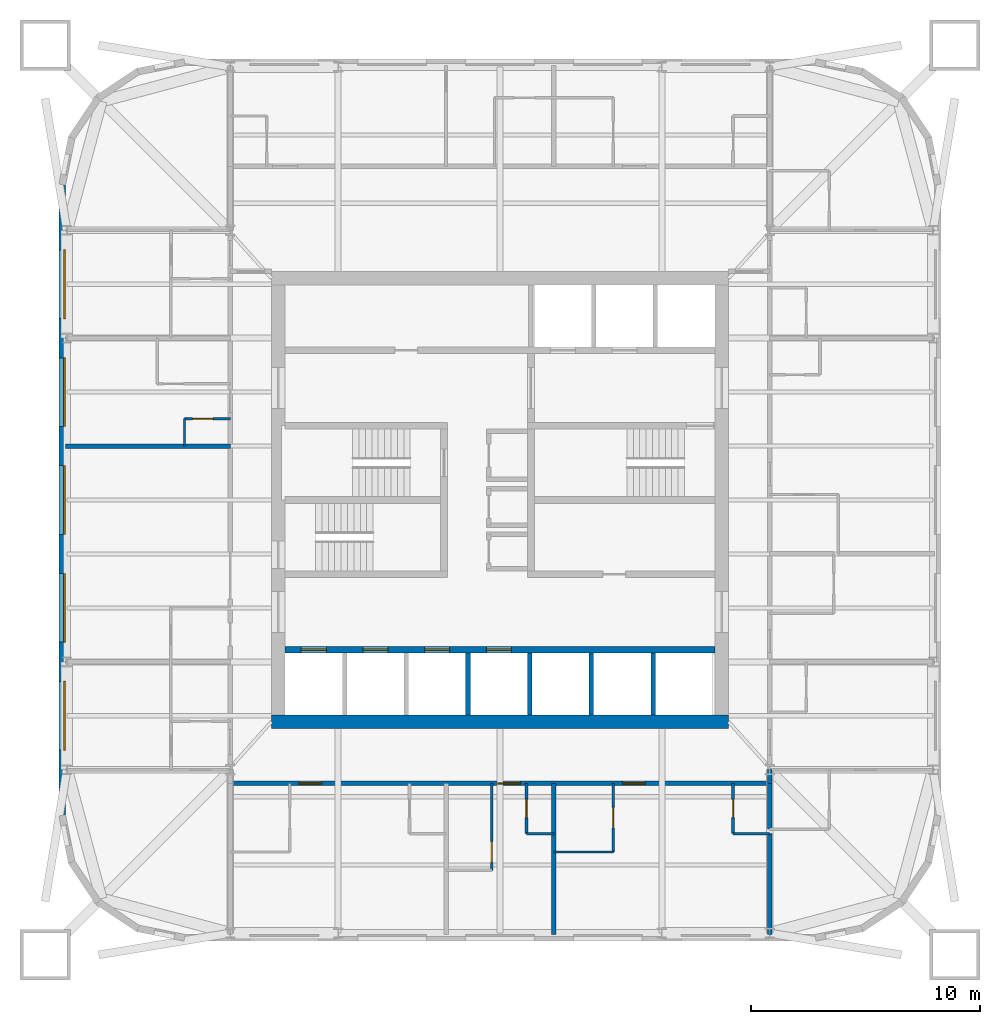
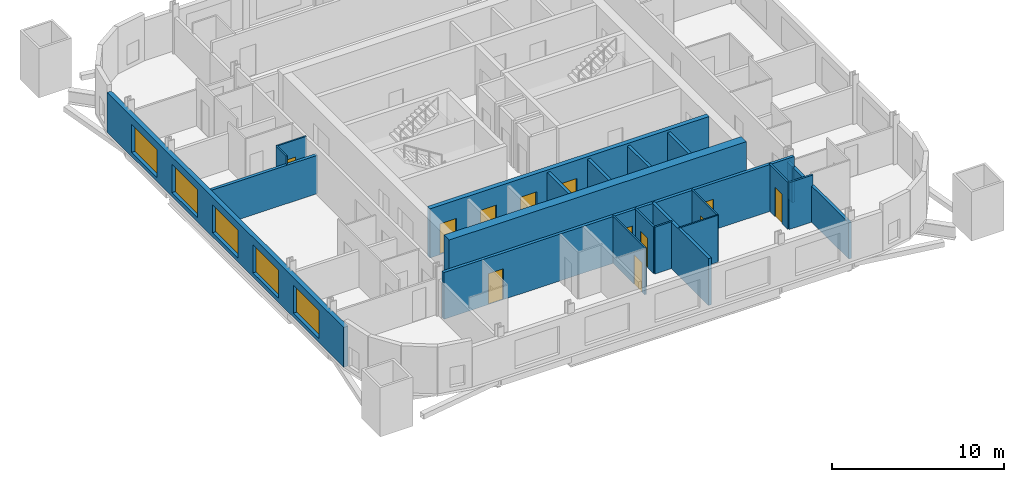
# One storey, part 3 of 8: 22 walls, 12 doors, 5 windows, 17 openings.
"""IFC4 building model written with IfcOpenShell, lengths in metres."""

from ifc_helpers import new_model, si_unit, direction, frame, frame_2d, origin, place, context, subcontext, project, spatial, rectangle, extrude, material, layer, layer_set, type_object, element, fill, save


model = new_model("IFC4")

# Units and contexts
model_context = context("Model", 3, precision=1e-05, world=origin(), true_north=direction((0.0, 1.0)))
body_context = subcontext(model_context, "Body", "Model", "MODEL_VIEW")
ifc_project = project(units=[si_unit("LENGTHUNIT", "METRE"), si_unit("AREAUNIT", "SQUARE_METRE"), si_unit("VOLUMEUNIT", "CUBIC_METRE"), si_unit("PLANEANGLEUNIT", "RADIAN"), si_unit("MASSUNIT", "GRAM", prefix="KILO")], contexts=[model_context])

# Site, building, storey
site_placement = place(None, origin())
site = spatial("IfcSite", under=ifc_project, at=site_placement, CompositionType="ELEMENT")
building_placement = place(site_placement, origin())
building = spatial("IfcBuilding", under=site, at=building_placement, Name="Turquesa Mirador Hotel Tower", CompositionType="ELEMENT")
storey_placement = place(building_placement, frame((0.0, 0.0, 165.300048828125)))
storey = spatial("IfcBuildingStorey", under=building, at=storey_placement, Name="L44", CompositionType="ELEMENT", Elevation=165.300048828125)

# Wall
ifc_material_1 = material(Name="Gypsum board on steel studs", Category="steel")
ifc_layer_1 = layer(ifc_material_1, 0.10009765625)
ifc_layer_set_1 = layer_set([ifc_layer_1], Name="BATHROOM WALL 100")
wall_type_1 = type_object("IfcWallType", Name="BATHROOM WALL 100", PredefinedType="PARTITIONING", material=ifc_layer_set_1)
wall_1_placement = place(storey_placement, frame((57.360107421875, 29.60009765625, 0.0), z_axis=(0.0, 0.0, 1.0), x_axis=(1.0, 0.0, 0.0)))
element("IfcWall", 1, at=wall_1_placement, inside=storey, type_object=wall_type_1, Name="Partition L44 010", PredefinedType="PARTITIONING", context=body_context, shape_type="SweptSolid", body=[
    extrude(rectangle(XDim=2.599853515625, YDim=0.10009765625, at=frame_2d((1.2998046875, 0.0))), origin(), (0.0, 0.0, 1.0), 3.329833984375),
])

# Wall, opening, door
wall_2_placement = place(storey_placement, frame((41.199951171875, 48.56005859375, 0.0), z_axis=(0.0, 0.0, 1.0), x_axis=(1.0, 0.0, 0.0)))
wall_2 = element("IfcWall", 2, at=wall_2_placement, inside=storey, type_object=wall_type_1, Name="Partition L44 032", PredefinedType="PARTITIONING", context=body_context, shape_type="SweptSolid", body=[
    extrude(rectangle(XDim=2.0, YDim=0.10009765625, at=frame_2d((1.0, 0.0))), origin(), (0.0, 0.0, 1.0), 3.329833984375),
])
opening_1_placement = place(wall_2_placement, frame((0.35009765625, 0.0, 0.0)))
opening_1 = element("IfcOpeningElement", 3, at=opening_1_placement, cuts=wall_2, Name="Opening D06", PredefinedType="OPENING", context=body_context, shape_type="SweptSolid", body=[
    extrude(rectangle(XDim=0.89990234375, YDim=2.10009765625, at=frame_2d((0.449951171875, 1.050048828125))), frame((0.0, 0.06005859375, 0.0), z_axis=(0.0, -1.0, 0.0), x_axis=(1.0, 0.0, 0.0)), (0.0, 0.0, 1.0), 0.1201171875),
])
ifc_material_2 = material(Name="Laminate door", Category="wood")
door_type_1 = type_object("IfcDoorType", Name="DOOR 900X2100 WC", OperationType="SINGLE_SWING_LEFT", PredefinedType="DOOR", material=ifc_material_2)
door_1_placement = place(opening_1_placement, origin())
door_1 = element("IfcDoor", 4, at=door_1_placement, inside=storey, type_object=door_type_1, Name="Door 4408W", OperationType="SINGLE_SWING_LEFT", OverallHeight=2.10009765625, OverallWidth=0.89990234375, PredefinedType="DOOR", context=body_context, shape_type="SweptSolid", body=[
    extrude(rectangle(XDim=0.89990234375, YDim=2.10009765625, at=frame_2d((0.449951171875, 1.050048828125))), frame((0.0, 0.02490234375, 0.0), z_axis=(0.0, -1.0, 0.0), x_axis=(1.0, 0.0, 0.0)), (0.0, 0.0, 1.0), 0.050048828125),
])
fill(opening_1, door_1)

wall_3_placement = place(storey_placement, frame((54.639892578125, 28.800048828125, 0.0), z_axis=(0.0, 0.0, 1.0), x_axis=(0.0, 1.0, 0.0)))
wall_3 = element("IfcWall", 5, at=wall_3_placement, inside=storey, type_object=wall_type_1, Name="Partition L44 040", PredefinedType="PARTITIONING", context=body_context, shape_type="SweptSolid", body=[
    extrude(rectangle(XDim=3.800048828125, YDim=0.10009765625, at=frame_2d((1.89990234375, 0.0))), origin(), (0.0, 0.0, 1.0), 3.329833984375),
])
opening_2_placement = place(wall_3_placement, frame((0.35009765625, 0.0, 0.0)))
opening_2 = element("IfcOpeningElement", 6, at=opening_2_placement, cuts=wall_3, Name="Opening D02", PredefinedType="OPENING", context=body_context, shape_type="SweptSolid", body=[
    extrude(rectangle(XDim=0.89990234375, YDim=2.10009765625, at=frame_2d((0.449951171875, 1.050048828125))), frame((0.0, 0.06005859375, 0.0), z_axis=(0.0, -1.0, 0.0), x_axis=(1.0, 0.0, 0.0)), (0.0, 0.0, 1.0), 0.1201171875),
])
ifc_material_3 = material(Name="Timber veneered door", Category="wood")
door_type_2 = type_object("IfcDoorType", Name="DOOR 900X2100 EN-SUITE", OperationType="SINGLE_SWING_RIGHT", PredefinedType="DOOR", material=ifc_material_3)
door_2_placement = place(opening_2_placement, origin())
door_2 = element("IfcDoor", 7, at=door_2_placement, inside=storey, type_object=door_type_2, Name="Door 4404B", OperationType="SINGLE_SWING_RIGHT", OverallHeight=2.10009765625, OverallWidth=0.89990234375, PredefinedType="DOOR", context=body_context, shape_type="SweptSolid", body=[
    extrude(rectangle(XDim=0.89990234375, YDim=2.10009765625, at=frame_2d((0.449951171875, 1.050048828125))), frame((0.0, 0.02490234375, 0.0), z_axis=(0.0, -1.0, 0.0), x_axis=(1.0, 0.0, 0.0)), (0.0, 0.0, 1.0), 0.050048828125),
])
fill(opening_2, door_2)

# Wall
wall_4_placement = place(storey_placement, frame((41.199951171875, 47.360107421875, 0.0), z_axis=(0.0, 0.0, 1.0), x_axis=(0.0, 1.0, 0.0)))
element("IfcWall", 8, at=wall_4_placement, inside=storey, type_object=wall_type_1, Name="Partition L44 045", PredefinedType="PARTITIONING", context=body_context, shape_type="SweptSolid", body=[
    extrude(rectangle(XDim=1.199951171875, YDim=0.10009765625, at=frame_2d((0.60009765625, 0.0))), origin(), (0.0, 0.0, 1.0), 3.329833984375),
])

# Wall, opening, door
wall_5_placement = place(storey_placement, frame((59.9599609375, 29.60009765625, 0.0), z_axis=(0.0, 0.0, 1.0), x_axis=(0.0, 1.0, 0.0)))
wall_5 = element("IfcWall", 9, at=wall_5_placement, inside=storey, type_object=wall_type_1, Name="Partition L44 071", PredefinedType="PARTITIONING", context=body_context, shape_type="SweptSolid", body=[
    extrude(rectangle(XDim=3.0, YDim=0.10009765625, at=frame_2d((1.5, 0.0))), origin(), (0.0, 0.0, 1.0), 3.329833984375),
])
opening_3_placement = place(wall_5_placement, frame((1.050048828125, 0.0, 0.0)))
opening_3 = element("IfcOpeningElement", 10, at=opening_3_placement, cuts=wall_5, Name="Opening D02", PredefinedType="OPENING", context=body_context, shape_type="SweptSolid", body=[
    extrude(rectangle(XDim=0.89990234375, YDim=2.10009765625, at=frame_2d((0.449951171875, 1.050048828125))), frame((0.0, 0.06005859375, 0.0), z_axis=(0.0, -1.0, 0.0), x_axis=(1.0, 0.0, 0.0)), (0.0, 0.0, 1.0), 0.1201171875),
])
door_3_placement = place(opening_3_placement, origin())
door_3 = element("IfcDoor", 11, at=door_3_placement, inside=storey, type_object=door_type_2, Name="Door 4405B", OperationType="SINGLE_SWING_RIGHT", OverallHeight=2.10009765625, OverallWidth=0.89990234375, PredefinedType="DOOR", context=body_context, shape_type="SweptSolid", body=[
    extrude(rectangle(XDim=0.89990234375, YDim=2.10009765625, at=frame_2d((0.449951171875, 1.050048828125))), frame((0.0, 0.02490234375, 0.0), z_axis=(0.0, -1.0, 0.0), x_axis=(1.0, 0.0, 0.0)), (0.0, 0.0, 1.0), 0.050048828125),
])
fill(opening_3, door_3)

# Wall, openings, doors
ifc_material_4 = material(Name="Concrete C50/60", Category="concrete")
ifc_layer_2 = layer(ifc_material_4, 0.300048828125)
ifc_layer_set_2 = layer_set([ifc_layer_2], Name="CORE INNER WALL 300")
wall_type_2 = type_object("IfcWallType", Name="CORE INNER WALL 300", PredefinedType="SHEAR", material=ifc_layer_set_2)
wall_6_placement = place(storey_placement, frame((45.60009765625, 38.449951171875, 0.0), z_axis=(0.0, 0.0, 1.0), x_axis=(1.0, 0.0, 0.0)))
wall_6 = element("IfcWall", 12, at=wall_6_placement, inside=storey, type_object=wall_type_2, Name="Core wall SL", PredefinedType="SHEAR", context=body_context, shape_type="SweptSolid", body=[
    extrude(rectangle(XDim=18.7998046875, YDim=0.300048828125, at=frame_2d((9.39990234375, 0.0))), origin(), (0.0, 0.0, 1.0), 3.5),
])
opening_4_placement = place(wall_6_placement, frame((0.699951171875, 0.0, 0.0)))
opening_4 = element("IfcOpeningElement", 13, at=opening_4_placement, cuts=wall_6, Name="Opening LD", PredefinedType="OPENING", context=body_context, shape_type="SweptSolid", body=[
    extrude(rectangle(XDim=1.10009765625, YDim=2.199951171875, at=frame_2d((0.550048828125, 1.10009765625))), frame((0.0, 0.159912109375, 0.0), z_axis=(0.0, -1.0, 0.0), x_axis=(1.0, 0.0, 0.0)), (0.0, 0.0, 1.0), 0.320068359375),
])
opening_5_placement = place(wall_6_placement, frame((3.39990234375, 0.0, 0.0)))
opening_5 = element("IfcOpeningElement", 14, at=opening_5_placement, cuts=wall_6, Name="Opening LD", PredefinedType="OPENING", context=body_context, shape_type="SweptSolid", body=[
    extrude(rectangle(XDim=1.10009765625, YDim=2.199951171875, at=frame_2d((0.550048828125, 1.10009765625))), frame((0.0, 0.159912109375, 0.0), z_axis=(0.0, -1.0, 0.0), x_axis=(1.0, 0.0, 0.0)), (0.0, 0.0, 1.0), 0.320068359375),
])
opening_6_placement = place(wall_6_placement, frame((6.10009765625, 0.0, 0.0)))
opening_6 = element("IfcOpeningElement", 15, at=opening_6_placement, cuts=wall_6, Name="Opening LD", PredefinedType="OPENING", context=body_context, shape_type="SweptSolid", body=[
    extrude(rectangle(XDim=1.10009765625, YDim=2.199951171875, at=frame_2d((0.550048828125, 1.10009765625))), frame((0.0, 0.159912109375, 0.0), z_axis=(0.0, -1.0, 0.0), x_axis=(1.0, 0.0, 0.0)), (0.0, 0.0, 1.0), 0.320068359375),
])
opening_7_placement = place(wall_6_placement, frame((8.800048828125, 0.0, 0.0)))
opening_7 = element("IfcOpeningElement", 16, at=opening_7_placement, cuts=wall_6, Name="Opening LD", PredefinedType="OPENING", context=body_context, shape_type="SweptSolid", body=[
    extrude(rectangle(XDim=1.10009765625, YDim=2.199951171875, at=frame_2d((0.550048828125, 1.10009765625))), frame((0.0, 0.159912109375, 0.0), z_axis=(0.0, -1.0, 0.0), x_axis=(1.0, 0.0, 0.0)), (0.0, 0.0, 1.0), 0.320068359375),
])
ifc_material_5 = material(Name="Stainless steel lift landing door", Category="steel")
door_type_3 = type_object("IfcDoorType", Name="LIFT LANDING DOOR 1100X2200", OperationType="SLIDING_TO_LEFT", PredefinedType="DOOR", material=ifc_material_5)
door_4_placement = place(opening_4_placement, origin())
door_4 = element("IfcDoor", 17, at=door_4_placement, inside=storey, type_object=door_type_3, Name="Lift B1 landing door", OperationType="SLIDING_TO_LEFT", OverallHeight=2.199951171875, OverallWidth=1.10009765625, PredefinedType="DOOR", context=body_context, shape_type="SweptSolid", body=[
    extrude(rectangle(XDim=1.10009765625, YDim=2.199951171875, at=frame_2d((0.550048828125, 1.10009765625))), frame((0.0, 0.02490234375, 0.0), z_axis=(0.0, -1.0, 0.0), x_axis=(1.0, 0.0, 0.0)), (0.0, 0.0, 1.0), 0.050048828125),
])
fill(opening_4, door_4)
door_5_placement = place(opening_5_placement, origin())
door_5 = element("IfcDoor", 18, at=door_5_placement, inside=storey, type_object=door_type_3, Name="Lift B2 landing door", OperationType="SLIDING_TO_LEFT", OverallHeight=2.199951171875, OverallWidth=1.10009765625, PredefinedType="DOOR", context=body_context, shape_type="SweptSolid", body=[
    extrude(rectangle(XDim=1.10009765625, YDim=2.199951171875, at=frame_2d((0.550048828125, 1.10009765625))), frame((0.0, 0.02490234375, 0.0), z_axis=(0.0, -1.0, 0.0), x_axis=(1.0, 0.0, 0.0)), (0.0, 0.0, 1.0), 0.050048828125),
])
fill(opening_5, door_5)
door_6_placement = place(opening_6_placement, origin())
door_6 = element("IfcDoor", 19, at=door_6_placement, inside=storey, type_object=door_type_3, Name="Lift B3 landing door", OperationType="SLIDING_TO_LEFT", OverallHeight=2.199951171875, OverallWidth=1.10009765625, PredefinedType="DOOR", context=body_context, shape_type="SweptSolid", body=[
    extrude(rectangle(XDim=1.10009765625, YDim=2.199951171875, at=frame_2d((0.550048828125, 1.10009765625))), frame((0.0, 0.02490234375, 0.0), z_axis=(0.0, -1.0, 0.0), x_axis=(1.0, 0.0, 0.0)), (0.0, 0.0, 1.0), 0.050048828125),
])
fill(opening_6, door_6)
door_7_placement = place(opening_7_placement, origin())
door_7 = element("IfcDoor", 20, at=door_7_placement, inside=storey, type_object=door_type_3, Name="Lift B4 landing door", OperationType="SLIDING_TO_LEFT", OverallHeight=2.199951171875, OverallWidth=1.10009765625, PredefinedType="DOOR", context=body_context, shape_type="SweptSolid", body=[
    extrude(rectangle(XDim=1.10009765625, YDim=2.199951171875, at=frame_2d((0.550048828125, 1.10009765625))), frame((0.0, 0.02490234375, 0.0), z_axis=(0.0, -1.0, 0.0), x_axis=(1.0, 0.0, 0.0)), (0.0, 0.0, 1.0), 0.050048828125),
])
fill(opening_7, door_7)

# Wall
ifc_material_6 = material(Name="Concrete C50/60", Category="concrete")
ifc_layer_3 = layer(ifc_material_6, 0.60009765625)
ifc_layer_set_3 = layer_set([ifc_layer_3], Name="CORE WALL 600")
wall_type_3 = type_object("IfcWallType", Name="CORE WALL 600", PredefinedType="SHEAR", material=ifc_layer_set_3)
wall_7_placement = place(storey_placement, frame((45.0, 35.300048828125, 0.0), z_axis=(0.0, 0.0, 1.0), x_axis=(1.0, 0.0, 0.0)))
element("IfcWall", 21, at=wall_7_placement, inside=storey, type_object=wall_type_3, Name="Core wall S", PredefinedType="SHEAR", context=body_context, shape_type="SweptSolid", body=[
    extrude(rectangle(XDim=20.0, YDim=0.60009765625, at=frame_2d((10.0, 0.0))), origin(), (0.0, 0.0, 1.0), 3.5),
])

# Wall, openings, doors
ifc_material_7 = material(Name="Fire-rated gypsum board on steel studs", Category="steel")
ifc_layer_4 = layer(ifc_material_7, 0.199951171875)
ifc_layer_set_4 = layer_set([ifc_layer_4], Name="CORRIDOR WALL 200")
wall_type_4 = type_object("IfcWallType", Name="CORRIDOR WALL 200", PredefinedType="PARTITIONING", material=ifc_layer_set_4)
wall_8_placement = place(storey_placement, frame((43.199951171875, 32.60009765625, 0.0), z_axis=(0.0, 0.0, 1.0), x_axis=(1.0, 0.0, 0.0)))
wall_8 = element("IfcWall", 22, at=wall_8_placement, inside=storey, type_object=wall_type_4, Name="Partition L44 004", PredefinedType="PARTITIONING", context=body_context, shape_type="SweptSolid", body=[
    extrude(rectangle(XDim=23.60009765625, YDim=0.199951171875, at=frame_2d((11.800048828125, 0.0))), origin(), (0.0, 0.0, 1.0), 3.329833984375),
])
opening_8_placement = place(wall_8_placement, frame((3.0, 0.0, 0.0)))
opening_8 = element("IfcOpeningElement", 23, at=opening_8_placement, cuts=wall_8, Name="Opening D01", PredefinedType="OPENING", context=body_context, shape_type="SweptSolid", body=[
    extrude(rectangle(XDim=1.0, YDim=2.199951171875, at=frame_2d((0.5, 1.10009765625))), frame((0.0, 0.10986328125, 0.0), z_axis=(0.0, -1.0, 0.0), x_axis=(1.0, 0.0, 0.0)), (0.0, 0.0, 1.0), 0.219970703125),
])
opening_9_placement = place(wall_8_placement, frame((11.699951171875, 0.0, 0.0)))
opening_9 = element("IfcOpeningElement", 24, at=opening_9_placement, cuts=wall_8, Name="Opening D01", PredefinedType="OPENING", context=body_context, shape_type="SweptSolid", body=[
    extrude(rectangle(XDim=1.0, YDim=2.199951171875, at=frame_2d((0.5, 1.10009765625))), frame((0.0, 0.10986328125, 0.0), z_axis=(0.0, -1.0, 0.0), x_axis=(1.0, 0.0, 0.0)), (0.0, 0.0, 1.0), 0.219970703125),
])
opening_10_placement = place(wall_8_placement, frame((17.159912109375, 0.0, 0.0)))
opening_10 = element("IfcOpeningElement", 25, at=opening_10_placement, cuts=wall_8, Name="Opening D01", PredefinedType="OPENING", context=body_context, shape_type="SweptSolid", body=[
    extrude(rectangle(XDim=1.0, YDim=2.199951171875, at=frame_2d((0.5, 1.10009765625))), frame((0.0, 0.10986328125, 0.0), z_axis=(0.0, -1.0, 0.0), x_axis=(1.0, 0.0, 0.0)), (0.0, 0.0, 1.0), 0.219970703125),
])
ifc_material_8 = material(Name="Timber veneered fire door", Category="wood")
door_type_4 = type_object("IfcDoorType", Name="DOOR 1000X2200 GUEST ENTRY", OperationType="SINGLE_SWING_LEFT", PredefinedType="DOOR", material=ifc_material_8)
door_8_placement = place(opening_8_placement, origin())
door_8 = element("IfcDoor", 26, at=door_8_placement, inside=storey, type_object=door_type_4, Name="Door 4403", OperationType="SINGLE_SWING_LEFT", OverallHeight=2.199951171875, OverallWidth=1.0, PredefinedType="DOOR", context=body_context, shape_type="SweptSolid", body=[
    extrude(rectangle(XDim=1.0, YDim=2.199951171875, at=frame_2d((0.5, 1.10009765625))), frame((0.0, 0.02490234375, 0.0), z_axis=(0.0, -1.0, 0.0), x_axis=(1.0, 0.0, 0.0)), (0.0, 0.0, 1.0), 0.050048828125),
])
fill(opening_8, door_8)
door_9_placement = place(opening_9_placement, origin())
door_9 = element("IfcDoor", 27, at=door_9_placement, inside=storey, type_object=door_type_4, Name="Door 4404", OperationType="SINGLE_SWING_LEFT", OverallHeight=2.199951171875, OverallWidth=1.0, PredefinedType="DOOR", context=body_context, shape_type="SweptSolid", body=[
    extrude(rectangle(XDim=1.0, YDim=2.199951171875, at=frame_2d((0.5, 1.10009765625))), frame((0.0, 0.02490234375, 0.0), z_axis=(0.0, -1.0, 0.0), x_axis=(1.0, 0.0, 0.0)), (0.0, 0.0, 1.0), 0.050048828125),
])
fill(opening_9, door_9)
door_10_placement = place(opening_10_placement, origin())
door_10 = element("IfcDoor", 28, at=door_10_placement, inside=storey, type_object=door_type_4, Name="Door 4405", OperationType="SINGLE_SWING_LEFT", OverallHeight=2.199951171875, OverallWidth=1.0, PredefinedType="DOOR", context=body_context, shape_type="SweptSolid", body=[
    extrude(rectangle(XDim=1.0, YDim=2.199951171875, at=frame_2d((0.5, 1.10009765625))), frame((0.0, 0.02490234375, 0.0), z_axis=(0.0, -1.0, 0.0), x_axis=(1.0, 0.0, 0.0)), (0.0, 0.0, 1.0), 0.050048828125),
])
fill(opening_10, door_10)

# Wall
wall_9_placement = place(storey_placement, frame((66.800048828125, 32.60009765625, 0.0), z_axis=(0.0, 0.0, 1.0), x_axis=(0.0, 1.0, 0.0)))
element("IfcWall", 29, at=wall_9_placement, inside=storey, type_object=wall_type_4, Name="Partition L44 075", PredefinedType="PARTITIONING", context=body_context, shape_type="SweptSolid", body=[
    extrude(rectangle(XDim=0.619873046875, YDim=0.199951171875, at=frame_2d((0.31005859375, 0.0))), origin(), (0.0, 0.0, 1.0), 2.572998046875),
])

# Wall, openings, windows
ifc_material_9 = material(Name="Limestone cladding on concrete block", Category="masonry")
ifc_layer_5 = layer(ifc_material_9, 0.300048828125)
ifc_layer_set_5 = layer_set([ifc_layer_5], Name="FACADE WALL 300 STONE SCREEN")
wall_type_5 = type_object("IfcWallType", Name="FACADE WALL 300 STONE SCREEN", PredefinedType="SOLIDWALL", material=ifc_layer_set_5)
wall_10_placement = place(storey_placement, frame((35.85009765625, 58.800048828125, 0.0), z_axis=(0.0, 0.0, 1.0), x_axis=(0.0, -1.0, 0.0)))
wall_10 = element("IfcWall", 30, at=wall_10_placement, inside=storey, type_object=wall_type_5, Name="Facade wall L44 14", PredefinedType="SOLIDWALL", context=body_context, shape_type="SweptSolid", body=[
    extrude(rectangle(XDim=27.60009765625, YDim=0.300048828125, at=frame_2d((13.800048828125, 0.0))), origin(), (0.0, 0.0, 1.0), 2.829833984375),
])
opening_11_placement = place(wall_10_placement, frame((2.860107421875, 0.0, 0.300048828125)))
opening_11 = element("IfcOpeningElement", 31, at=opening_11_placement, cuts=wall_10, Name="Opening WN1", PredefinedType="OPENING", context=body_context, shape_type="SweptSolid", body=[
    extrude(rectangle(XDim=3.0, YDim=2.0, at=frame_2d((1.5, 1.0))), frame((0.0, 0.159912109375, 0.0), z_axis=(0.0, -1.0, 0.0), x_axis=(1.0, 0.0, 0.0)), (0.0, 0.0, 1.0), 0.320068359375),
])
opening_12_placement = place(wall_10_placement, frame((7.580078125, 0.0, 0.300048828125)))
opening_12 = element("IfcOpeningElement", 32, at=opening_12_placement, cuts=wall_10, Name="Opening WN1", PredefinedType="OPENING", context=body_context, shape_type="SweptSolid", body=[
    extrude(rectangle(XDim=3.0, YDim=2.0, at=frame_2d((1.5, 1.0))), frame((0.0, 0.159912109375, 0.0), z_axis=(0.0, -1.0, 0.0), x_axis=(1.0, 0.0, 0.0)), (0.0, 0.0, 1.0), 0.320068359375),
])
opening_13_placement = place(wall_10_placement, frame((12.300048828125, 0.0, 0.300048828125)))
opening_13 = element("IfcOpeningElement", 33, at=opening_13_placement, cuts=wall_10, Name="Opening WN1", PredefinedType="OPENING", context=body_context, shape_type="SweptSolid", body=[
    extrude(rectangle(XDim=3.0, YDim=2.0, at=frame_2d((1.5, 1.0))), frame((0.0, 0.159912109375, 0.0), z_axis=(0.0, -1.0, 0.0), x_axis=(1.0, 0.0, 0.0)), (0.0, 0.0, 1.0), 0.320068359375),
])
opening_14_placement = place(wall_10_placement, frame((17.02001953125, 0.0, 0.300048828125)))
opening_14 = element("IfcOpeningElement", 34, at=opening_14_placement, cuts=wall_10, Name="Opening WN1", PredefinedType="OPENING", context=body_context, shape_type="SweptSolid", body=[
    extrude(rectangle(XDim=3.0, YDim=2.0, at=frame_2d((1.5, 1.0))), frame((0.0, 0.159912109375, 0.0), z_axis=(0.0, -1.0, 0.0), x_axis=(1.0, 0.0, 0.0)), (0.0, 0.0, 1.0), 0.320068359375),
])
opening_15_placement = place(wall_10_placement, frame((21.739990234375, 0.0, 0.300048828125)))
opening_15 = element("IfcOpeningElement", 35, at=opening_15_placement, cuts=wall_10, Name="Opening WN1", PredefinedType="OPENING", context=body_context, shape_type="SweptSolid", body=[
    extrude(rectangle(XDim=3.0, YDim=2.0, at=frame_2d((1.5, 1.0))), frame((0.0, 0.159912109375, 0.0), z_axis=(0.0, -1.0, 0.0), x_axis=(1.0, 0.0, 0.0)), (0.0, 0.0, 1.0), 0.320068359375),
])
ifc_material_10 = material(Name="Ceramic-fritted laminated glass", Category="glass")
window_type = type_object("IfcWindowType", Name="FRITTED WINDOW 3000X2000", PartitioningType="DOUBLE_PANEL_HORIZONTAL", PredefinedType="WINDOW", material=ifc_material_10)
window_1_placement = place(opening_11_placement, origin())
window_1 = element("IfcWindow", 36, at=window_1_placement, inside=storey, type_object=window_type, Name="Window L44", OverallHeight=2.0, OverallWidth=3.0, PartitioningType="SINGLE_PANEL", PredefinedType="WINDOW", context=body_context, shape_type="SweptSolid", body=[
    extrude(rectangle(XDim=3.0, YDim=2.0, at=frame_2d((1.5, 1.0))), frame((0.0, 0.130126953125, 0.0), z_axis=(0.0, -1.0, 0.0), x_axis=(1.0, 0.0, 0.0)), (0.0, 0.0, 1.0), 0.06005859375),
])
fill(opening_11, window_1)
window_2_placement = place(opening_12_placement, origin())
window_2 = element("IfcWindow", 37, at=window_2_placement, inside=storey, type_object=window_type, Name="Window L44", OverallHeight=2.0, OverallWidth=3.0, PartitioningType="SINGLE_PANEL", PredefinedType="WINDOW", context=body_context, shape_type="SweptSolid", body=[
    extrude(rectangle(XDim=3.0, YDim=2.0, at=frame_2d((1.5, 1.0))), frame((0.0, 0.130126953125, 0.0), z_axis=(0.0, -1.0, 0.0), x_axis=(1.0, 0.0, 0.0)), (0.0, 0.0, 1.0), 0.06005859375),
])
fill(opening_12, window_2)
window_3_placement = place(opening_13_placement, origin())
window_3 = element("IfcWindow", 38, at=window_3_placement, inside=storey, type_object=window_type, Name="Window L44", OverallHeight=2.0, OverallWidth=3.0, PartitioningType="SINGLE_PANEL", PredefinedType="WINDOW", context=body_context, shape_type="SweptSolid", body=[
    extrude(rectangle(XDim=3.0, YDim=2.0, at=frame_2d((1.5, 1.0))), frame((0.0, 0.130126953125, 0.0), z_axis=(0.0, -1.0, 0.0), x_axis=(1.0, 0.0, 0.0)), (0.0, 0.0, 1.0), 0.06005859375),
])
fill(opening_13, window_3)
window_4_placement = place(opening_14_placement, origin())
window_4 = element("IfcWindow", 39, at=window_4_placement, inside=storey, type_object=window_type, Name="Window L44", OverallHeight=2.0, OverallWidth=3.0, PartitioningType="SINGLE_PANEL", PredefinedType="WINDOW", context=body_context, shape_type="SweptSolid", body=[
    extrude(rectangle(XDim=3.0, YDim=2.0, at=frame_2d((1.5, 1.0))), frame((0.0, 0.130126953125, 0.0), z_axis=(0.0, -1.0, 0.0), x_axis=(1.0, 0.0, 0.0)), (0.0, 0.0, 1.0), 0.06005859375),
])
fill(opening_14, window_4)
window_5_placement = place(opening_15_placement, origin())
window_5 = element("IfcWindow", 40, at=window_5_placement, inside=storey, type_object=window_type, Name="Window L44", OverallHeight=2.0, OverallWidth=3.0, PartitioningType="SINGLE_PANEL", PredefinedType="WINDOW", context=body_context, shape_type="SweptSolid", body=[
    extrude(rectangle(XDim=3.0, YDim=2.0, at=frame_2d((1.5, 1.0))), frame((0.0, 0.130126953125, 0.0), z_axis=(0.0, -1.0, 0.0), x_axis=(1.0, 0.0, 0.0)), (0.0, 0.0, 1.0), 0.06005859375),
])
fill(opening_15, window_5)

# Walls
ifc_material_11 = material(Name="Fire-rated gypsum shaft wall on steel studs", Category="steel")
ifc_layer_6 = layer(ifc_material_11, 0.199951171875)
ifc_layer_set_6 = layer_set([ifc_layer_6], Name="LIFT SHAFT DIVIDER 200")
wall_type_6 = type_object("IfcWallType", Name="LIFT SHAFT DIVIDER 200", PredefinedType="PARTITIONING", material=ifc_layer_set_6)
for number, where, z_axis, x_axis, name in (
    (41, (53.60009765625, 35.60009765625, 0.0), (0.0, 0.0, 1.0), (0.0, 1.0, 0.0), "Lift shaft divider"),
    (42, (56.300048828125, 35.60009765625, 0.0), (0.0, 0.0, 1.0), (0.0, 1.0, 0.0), "Lift shaft divider"),
    (43, (59.0, 35.60009765625, 0.0), (0.0, 0.0, 1.0), (0.0, 1.0, 0.0), "Lift shaft divider"),
    (44, (61.699951171875, 35.60009765625, 0.0), (0.0, 0.0, 1.0), (0.0, 1.0, 0.0), "Lift shaft divider"),
):
    element("IfcWall", number, at=place(storey_placement, frame(where, z_axis=z_axis, x_axis=x_axis)), inside=storey, type_object=wall_type_6, Name=name, PredefinedType="PARTITIONING", context=body_context, shape_type="SweptSolid", body=[
        extrude(rectangle(XDim=2.699951171875, YDim=0.199951171875, at=frame_2d((1.35009765625, 0.0))), origin(), (0.0, 0.0, 1.0), 3.329833984375),
    ])
ifc_material_12 = material(Name="Fire-rated gypsum board on steel studs", Category="steel")
ifc_layer_7 = layer(ifc_material_12, 0.199951171875)
ifc_layer_set_7 = layer_set([ifc_layer_7], Name="PARTY WALL 200")
wall_type_7 = type_object("IfcWallType", Name="PARTY WALL 200", PredefinedType="PARTITIONING", material=ifc_layer_set_7)
wall_11_placement = place(storey_placement, frame((36.0, 47.360107421875, 0.0), z_axis=(0.0, 0.0, 1.0), x_axis=(1.0, 0.0, 0.0)))
element("IfcWall", 45, at=wall_11_placement, inside=storey, type_object=wall_type_7, Name="Partition L44 031", PredefinedType="PARTITIONING", context=body_context, shape_type="SweptSolid", body=[
    extrude(rectangle(XDim=7.199951171875, YDim=0.199951171875, at=frame_2d((3.60009765625, 0.0))), origin(), (0.0, 0.0, 1.0), 2.73046875),
])
wall_12_placement = place(storey_placement, frame((66.800048828125, 26.0, 0.0), z_axis=(0.0, 0.0, 1.0), x_axis=(0.0, 1.0, 0.0)))
element("IfcWall", 46, at=wall_12_placement, inside=storey, type_object=wall_type_7, Name="Partition L44 059", PredefinedType="PARTITIONING", context=body_context, shape_type="SweptSolid", body=[
    extrude(rectangle(XDim=4.39990234375, YDim=0.199951171875, at=frame_2d((2.199951171875, 0.0))), origin(), (0.0, 0.0, 1.0), 2.572998046875),
])
wall_13_placement = place(storey_placement, frame((66.800048828125, 30.60009765625, 0.0), z_axis=(0.0, 0.0, 1.0), x_axis=(0.0, 1.0, 0.0)))
element("IfcWall", 47, at=wall_13_placement, inside=storey, type_object=wall_type_7, Name="Partition L44 060", PredefinedType="PARTITIONING", context=body_context, shape_type="SweptSolid", body=[
    extrude(rectangle(XDim=2.0, YDim=0.199951171875, at=frame_2d((1.0, 0.0))), origin(), (0.0, 0.0, 1.0), 2.572998046875),
])
wall_14_placement = place(storey_placement, frame((57.360107421875, 26.0, 0.0), z_axis=(0.0, 0.0, 1.0), x_axis=(0.0, 1.0, 0.0)))
element("IfcWall", 48, at=wall_14_placement, inside=storey, type_object=wall_type_7, Name="Partition L44 069", PredefinedType="PARTITIONING", context=body_context, shape_type="SweptSolid", body=[
    extrude(rectangle(XDim=6.60009765625, YDim=0.199951171875, at=frame_2d((3.300048828125, 0.0))), origin(), (0.0, 0.0, 1.0), 3.329833984375),
])
ifc_material_13 = material(Name="Acoustic gypsum board on steel studs", Category="steel")
ifc_layer_8 = layer(ifc_material_13, 0.125)
ifc_layer_set_8 = layer_set([ifc_layer_8], Name="SUITE PARTITION 125")
wall_type_8 = type_object("IfcWallType", Name="SUITE PARTITION 125", PredefinedType="PARTITIONING", material=ifc_layer_set_8)
wall_15_placement = place(storey_placement, frame((56.159912109375, 30.39990234375, 0.0), z_axis=(0.0, 0.0, 1.0), x_axis=(1.0, 0.0, 0.0)))
element("IfcWall", 49, at=wall_15_placement, inside=storey, type_object=wall_type_8, Name="Partition L44 007", PredefinedType="PARTITIONING", context=body_context, shape_type="SweptSolid", body=[
    extrude(rectangle(XDim=1.2001953125, YDim=0.125, at=frame_2d((0.60009765625, 0.0))), origin(), (0.0, 0.0, 1.0), 3.329833984375),
])
wall_16_placement = place(storey_placement, frame((65.199951171875, 30.39990234375, 0.0), z_axis=(0.0, 0.0, 1.0), x_axis=(1.0, 0.0, 0.0)))
element("IfcWall", 50, at=wall_16_placement, inside=storey, type_object=wall_type_8, Name="Partition L44 008", PredefinedType="PARTITIONING", context=body_context, shape_type="SweptSolid", body=[
    extrude(rectangle(XDim=1.60009765625, YDim=0.125, at=frame_2d((0.800048828125, 0.0))), origin(), (0.0, 0.0, 1.0), 3.329833984375),
])

# Wall, opening, door
wall_17_placement = place(storey_placement, frame((56.159912109375, 30.39990234375, 0.0), z_axis=(0.0, 0.0, 1.0), x_axis=(0.0, 1.0, 0.0)))
wall_17 = element("IfcWall", 51, at=wall_17_placement, inside=storey, type_object=wall_type_8, Name="Partition L44 055", PredefinedType="PARTITIONING", context=body_context, shape_type="SweptSolid", body=[
    extrude(rectangle(XDim=2.2001953125, YDim=0.125, at=frame_2d((1.10009765625, 0.0))), origin(), (0.0, 0.0, 1.0), 3.329833984375),
])
opening_16_placement = place(wall_17_placement, frame((0.699951171875, 0.0, 0.0)))
opening_16 = element("IfcOpeningElement", 52, at=opening_16_placement, cuts=wall_17, Name="Opening D20", PredefinedType="OPENING", context=body_context, shape_type="SweptSolid", body=[
    extrude(rectangle(XDim=0.800048828125, YDim=2.10009765625, at=frame_2d((0.39990234375, 1.050048828125))), frame((0.0, 0.072509765625, 0.0), z_axis=(0.0, -1.0, 0.0), x_axis=(1.0, 0.0, 0.0)), (0.0, 0.0, 1.0), 0.14501953125),
])
ifc_material_14 = material(Name="Timber veneered sliding door", Category="wood")
door_type_5 = type_object("IfcDoorType", Name="DOOR 800X2100 WARDROBE", OperationType="SLIDING_TO_LEFT", PredefinedType="DOOR", material=ifc_material_14)
door_11_placement = place(opening_16_placement, origin())
door_11 = element("IfcDoor", 53, at=door_11_placement, inside=storey, type_object=door_type_5, Name="Door 4404W", OperationType="SLIDING_TO_LEFT", OverallHeight=2.10009765625, OverallWidth=0.800048828125, PredefinedType="DOOR", context=body_context, shape_type="SweptSolid", body=[
    extrude(rectangle(XDim=0.800048828125, YDim=2.10009765625, at=frame_2d((0.39990234375, 1.050048828125))), frame((0.0, 0.02490234375, 0.0), z_axis=(0.0, -1.0, 0.0), x_axis=(1.0, 0.0, 0.0)), (0.0, 0.0, 1.0), 0.050048828125),
])
fill(opening_16, door_11)

wall_18_placement = place(storey_placement, frame((65.199951171875, 30.39990234375, 0.0), z_axis=(0.0, 0.0, 1.0), x_axis=(0.0, 1.0, 0.0)))
wall_18 = element("IfcWall", 54, at=wall_18_placement, inside=storey, type_object=wall_type_8, Name="Partition L44 056", PredefinedType="PARTITIONING", context=body_context, shape_type="SweptSolid", body=[
    extrude(rectangle(XDim=2.2001953125, YDim=0.125, at=frame_2d((1.10009765625, 0.0))), origin(), (0.0, 0.0, 1.0), 3.329833984375),
])
opening_17_placement = place(wall_18_placement, frame((0.699951171875, 0.0, 0.0)))
opening_17 = element("IfcOpeningElement", 55, at=opening_17_placement, cuts=wall_18, Name="Opening D20", PredefinedType="OPENING", context=body_context, shape_type="SweptSolid", body=[
    extrude(rectangle(XDim=0.800048828125, YDim=2.10009765625, at=frame_2d((0.39990234375, 1.050048828125))), frame((0.0, 0.072509765625, 0.0), z_axis=(0.0, -1.0, 0.0), x_axis=(1.0, 0.0, 0.0)), (0.0, 0.0, 1.0), 0.14501953125),
])
door_12_placement = place(opening_17_placement, origin())
door_12 = element("IfcDoor", 56, at=door_12_placement, inside=storey, type_object=door_type_5, Name="Door 4405W", OperationType="SLIDING_TO_LEFT", OverallHeight=2.10009765625, OverallWidth=0.800048828125, PredefinedType="DOOR", context=body_context, shape_type="SweptSolid", body=[
    extrude(rectangle(XDim=0.800048828125, YDim=2.10009765625, at=frame_2d((0.39990234375, 1.050048828125))), frame((0.0, 0.02490234375, 0.0), z_axis=(0.0, -1.0, 0.0), x_axis=(1.0, 0.0, 0.0)), (0.0, 0.0, 1.0), 0.050048828125),
])
fill(opening_17, door_12)

save(model, "model.ifc")
